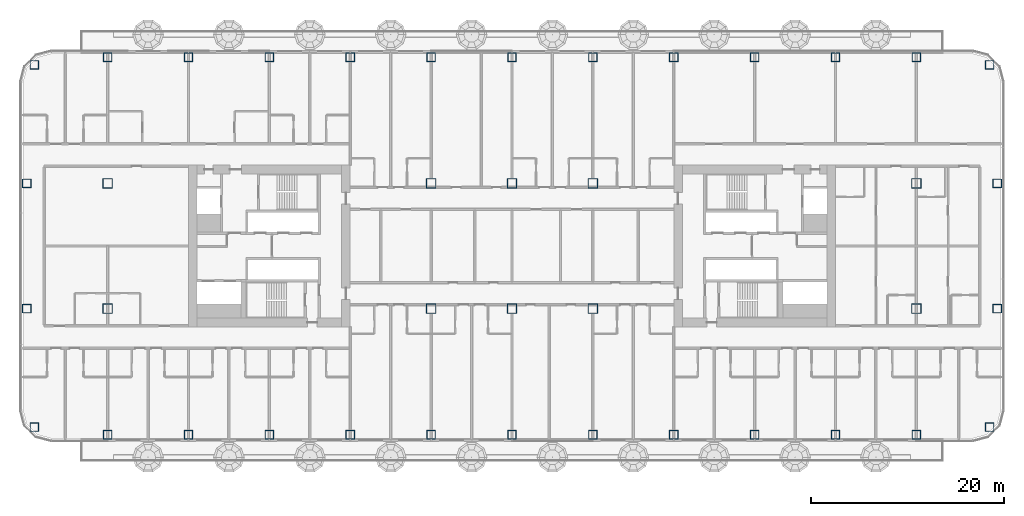
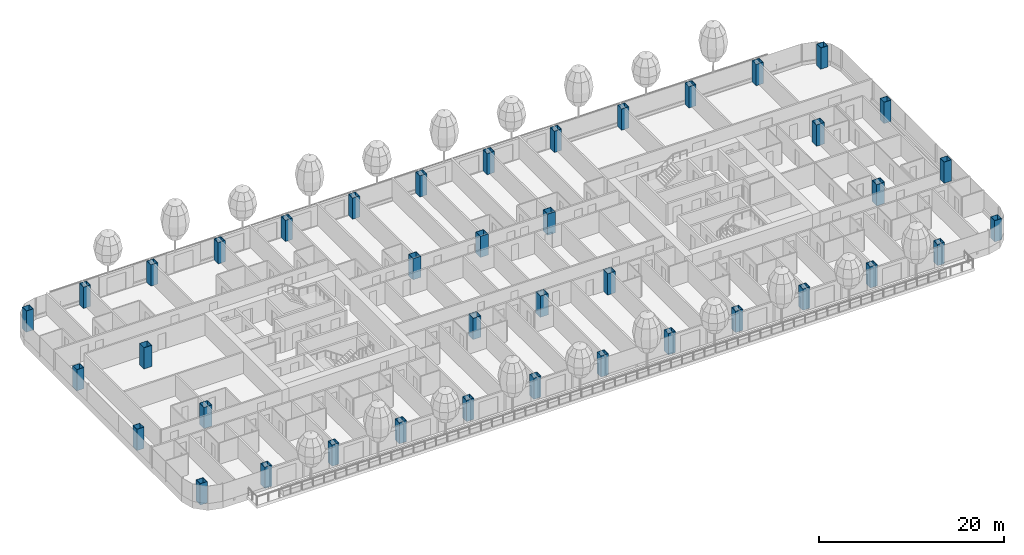
# One storey, part 1 of 37: 40 columns.
"""IFC4 building model written with IfcOpenShell, lengths in metres."""

from ifc_helpers import new_model, si_unit, direction, frame, origin, origin_2d, place, context, subcontext, project, spatial, hollow_rectangle, extrude, material, material_profile, profile_set, type_object, element, save


model = new_model("IFC4")

# Units and contexts
model_context = context("Model", 3, precision=1e-05, world=origin(), true_north=direction((0.0, 1.0)))
body_context = subcontext(model_context, "Body", "Model", "MODEL_VIEW")
ifc_project = project(units=[si_unit("LENGTHUNIT", "METRE"), si_unit("AREAUNIT", "SQUARE_METRE"), si_unit("VOLUMEUNIT", "CUBIC_METRE"), si_unit("PLANEANGLEUNIT", "RADIAN"), si_unit("MASSUNIT", "GRAM", prefix="KILO")], contexts=[model_context])

# Site, building, storey
site_placement = place(None, origin())
site = spatial("IfcSite", under=ifc_project, at=site_placement, CompositionType="ELEMENT")
building_placement = place(site_placement, origin())
building = spatial("IfcBuilding", under=site, at=building_placement, Name="Hakoniwa Tower and Hamabe Station Hall", CompositionType="ELEMENT")
storey_placement = place(building_placement, frame((0.0, 0.0, 39.0)))
storey = spatial("IfcBuildingStorey", under=building, at=storey_placement, Name="L10", CompositionType="ELEMENT", Elevation=39.0)

# Columns
ifc_material_1 = material(Name="Steel SN490C", Category="steel")
ifc_material_profile_1 = material_profile(ifc_material_1, hollow_rectangle(XDim=1.0, YDim=1.0, WallThickness=0.0400390625, at=origin_2d()), Name="BX-1000x1000x40")
ifc_profile_set_1 = profile_set([ifc_material_profile_1], Name="Steel SN490C")
column_type_1 = type_object("IfcColumnType", Name="COLUMN BX-1000x1000x40", PredefinedType="COLUMN", material=ifc_profile_set_1)
for number, where, z_axis, x_axis, name in (
    (1, (-42.0, -6.5, 0.0), (0.0, 0.0, 1.0), (1.0, 0.0, 0.0), "Column B1-2-C1"),
    (2, (-42.0, 6.5, 0.0), (0.0, 0.0, 1.0), (1.0, 0.0, 0.0), "Column B1-2-E1"),
    (3, (-8.39990234375, -6.5, 0.0), (0.0, 0.0, 1.0), (1.0, 0.0, 0.0), "Column B1-6-C1"),
    (4, (-8.39990234375, 6.5, 0.0), (0.0, 0.0, 1.0), (1.0, 0.0, 0.0), "Column B1-6-E1"),
    (5, (0.0, -6.5, 0.0), (0.0, 0.0, 1.0), (1.0, 0.0, 0.0), "Column B1-7-C1"),
    (6, (0.0, 6.5, 0.0), (0.0, 0.0, 1.0), (1.0, 0.0, 0.0), "Column B1-7-E1"),
    (7, (8.39990234375, -6.5, 0.0), (0.0, 0.0, 1.0), (1.0, 0.0, 0.0), "Column B1-8-C1"),
    (8, (8.39990234375, 6.5, 0.0), (0.0, 0.0, 1.0), (1.0, 0.0, 0.0), "Column B1-8-E1"),
    (9, (42.0, -6.5, 0.0), (0.0, 0.0, 1.0), (1.0, 0.0, 0.0), "Column B1-12-C1"),
    (10, (42.0, 6.5, 0.0), (0.0, 0.0, 1.0), (1.0, 0.0, 0.0), "Column B1-12-E1"),
):
    element("IfcColumn", number, at=place(storey_placement, frame(where, z_axis=z_axis, x_axis=x_axis)), inside=storey, type_object=column_type_1, Name=name, PredefinedType="COLUMN", context=body_context, shape_type="SweptSolid", body=[
        extrude(hollow_rectangle(XDim=1.0, YDim=1.0, WallThickness=0.0400390625, at=origin_2d()), origin(), (0.0, 0.0, 1.0), 2.800048828125),
    ])
ifc_material_2 = material(Name="Steel SN490C", Category="steel")
ifc_material_profile_2 = material_profile(ifc_material_2, hollow_rectangle(XDim=0.89990234375, YDim=0.89990234375, WallThickness=0.035888671875, at=origin_2d()), Name="BX-900x900x36")
ifc_profile_set_2 = profile_set([ifc_material_profile_2], Name="Steel SN490C")
column_type_2 = type_object("IfcColumnType", Name="COLUMN BX-900x900x36", PredefinedType="COLUMN", material=ifc_profile_set_2)
for number, where, z_axis, x_axis, name in (
    (11, (-49.60302734375, -18.802978515625, 0.0), (0.0, 0.0, 1.0), (1.0, 0.0, 0.0), "Column B1-1-A1"),
    (12, (-50.39990234375, -6.5, 0.0), (0.0, 0.0, 1.0), (1.0, 0.0, 0.0), "Column B1-1-C1"),
    (13, (-50.39990234375, 6.5, 0.0), (0.0, 0.0, 1.0), (1.0, 0.0, 0.0), "Column B1-1-E1"),
    (14, (-49.60302734375, 18.802978515625, 0.0), (0.0, 0.0, 1.0), (1.0, 0.0, 0.0), "Column B1-1-G1"),
    (15, (-42.0, -19.60009765625, 0.0), (0.0, 0.0, 1.0), (1.0, 0.0, 0.0), "Column B1-2-A1"),
    (16, (-42.0, 19.60009765625, 0.0), (0.0, 0.0, 1.0), (1.0, 0.0, 0.0), "Column B1-2-G1"),
    (17, (-33.60009765625, -19.60009765625, 0.0), (0.0, 0.0, 1.0), (1.0, 0.0, 0.0), "Column B1-3-A1"),
    (18, (-33.60009765625, 19.60009765625, 0.0), (0.0, 0.0, 1.0), (1.0, 0.0, 0.0), "Column B1-3-G1"),
    (19, (-25.199951171875, -19.60009765625, 0.0), (0.0, 0.0, 1.0), (1.0, 0.0, 0.0), "Column B1-4-A1"),
    (20, (-25.199951171875, 19.60009765625, 0.0), (0.0, 0.0, 1.0), (1.0, 0.0, 0.0), "Column B1-4-G1"),
    (21, (-16.800048828125, -19.60009765625, 0.0), (0.0, 0.0, 1.0), (1.0, 0.0, 0.0), "Column B1-5-A1"),
    (22, (-16.800048828125, 19.60009765625, 0.0), (0.0, 0.0, 1.0), (1.0, 0.0, 0.0), "Column B1-5-G1"),
    (23, (-8.39990234375, -19.60009765625, 0.0), (0.0, 0.0, 1.0), (1.0, 0.0, 0.0), "Column B1-6-A1"),
    (24, (-8.39990234375, 19.60009765625, 0.0), (0.0, 0.0, 1.0), (1.0, 0.0, 0.0), "Column B1-6-G1"),
    (25, (0.0, -19.60009765625, 0.0), (0.0, 0.0, 1.0), (1.0, 0.0, 0.0), "Column B1-7-A1"),
    (26, (0.0, 19.60009765625, 0.0), (0.0, 0.0, 1.0), (1.0, 0.0, 0.0), "Column B1-7-G1"),
    (27, (8.39990234375, -19.60009765625, 0.0), (0.0, 0.0, 1.0), (1.0, 0.0, 0.0), "Column B1-8-A1"),
    (28, (8.39990234375, 19.60009765625, 0.0), (0.0, 0.0, 1.0), (1.0, 0.0, 0.0), "Column B1-8-G1"),
    (29, (16.800048828125, -19.60009765625, 0.0), (0.0, 0.0, 1.0), (1.0, 0.0, 0.0), "Column B1-9-A1"),
    (30, (16.800048828125, 19.60009765625, 0.0), (0.0, 0.0, 1.0), (1.0, 0.0, 0.0), "Column B1-9-G1"),
    (31, (25.199951171875, -19.60009765625, 0.0), (0.0, 0.0, 1.0), (1.0, 0.0, 0.0), "Column B1-10-A1"),
    (32, (25.199951171875, 19.60009765625, 0.0), (0.0, 0.0, 1.0), (1.0, 0.0, 0.0), "Column B1-10-G1"),
    (33, (33.60009765625, -19.60009765625, 0.0), (0.0, 0.0, 1.0), (1.0, 0.0, 0.0), "Column B1-11-A1"),
    (34, (33.60009765625, 19.60009765625, 0.0), (0.0, 0.0, 1.0), (1.0, 0.0, 0.0), "Column B1-11-G1"),
    (35, (42.0, -19.60009765625, 0.0), (0.0, 0.0, 1.0), (1.0, 0.0, 0.0), "Column B1-12-A1"),
    (36, (42.0, 19.60009765625, 0.0), (0.0, 0.0, 1.0), (1.0, 0.0, 0.0), "Column B1-12-G1"),
    (37, (49.60302734375, -18.802978515625, 0.0), (0.0, 0.0, 1.0), (1.0, 0.0, 0.0), "Column B1-13-A1"),
    (38, (50.39990234375, -6.5, 0.0), (0.0, 0.0, 1.0), (1.0, 0.0, 0.0), "Column B1-13-C1"),
    (39, (50.39990234375, 6.5, 0.0), (0.0, 0.0, 1.0), (1.0, 0.0, 0.0), "Column B1-13-E1"),
    (40, (49.60302734375, 18.802978515625, 0.0), (0.0, 0.0, 1.0), (1.0, 0.0, 0.0), "Column B1-13-G1"),
):
    element("IfcColumn", number, at=place(storey_placement, frame(where, z_axis=z_axis, x_axis=x_axis)), inside=storey, type_object=column_type_2, Name=name, PredefinedType="COLUMN", context=body_context, shape_type="SweptSolid", body=[
        extrude(hollow_rectangle(XDim=0.89990234375, YDim=0.89990234375, WallThickness=0.035888671875, at=origin_2d()), origin(), (0.0, 0.0, 1.0), 2.800048828125),
    ])

save(model, "model.ifc")
